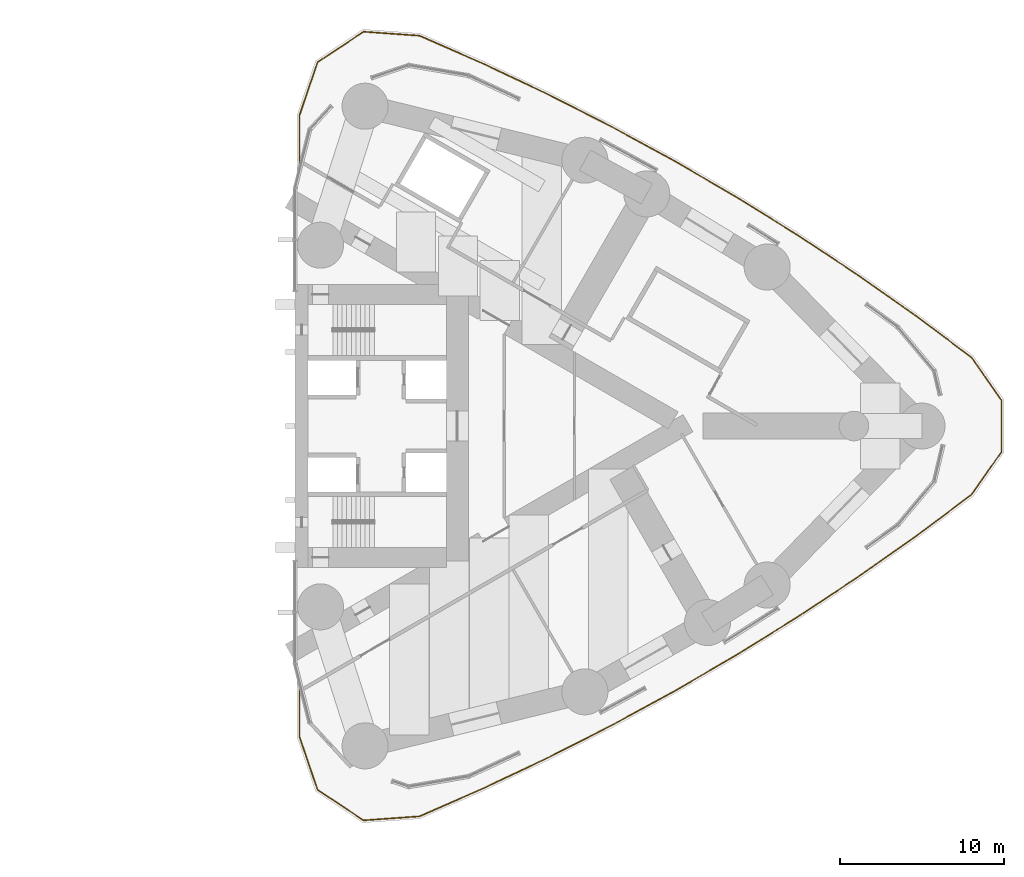
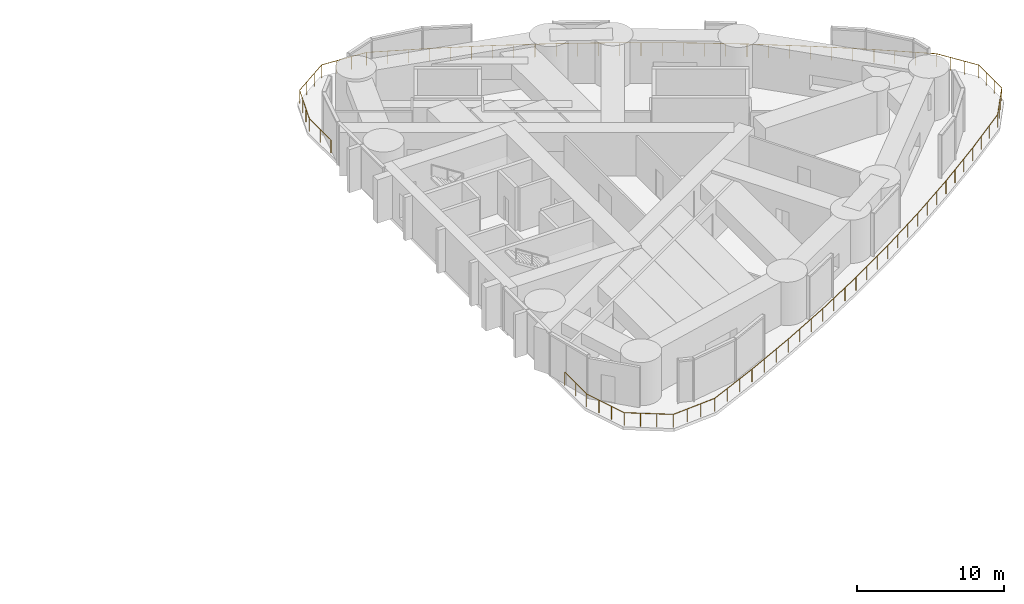
# One storey, part 17 of 17: 1 railing.
"""IFC4 building model written with IfcOpenShell, lengths in metres."""

from ifc_helpers import new_model, si_unit, direction, frame, origin, origin_2d, place, context, subcontext, project, spatial, circle, extrude, material, type_object, element, save


model = new_model("IFC4")

# Units and contexts
model_context = context("Model", 3, precision=1e-05, world=origin(), true_north=direction((0.0, 1.0)))
body_context = subcontext(model_context, "Body", "Model", "MODEL_VIEW")
ifc_project = project(units=[si_unit("LENGTHUNIT", "METRE"), si_unit("AREAUNIT", "SQUARE_METRE"), si_unit("VOLUMEUNIT", "CUBIC_METRE"), si_unit("PLANEANGLEUNIT", "RADIAN"), si_unit("MASSUNIT", "GRAM", prefix="KILO")], contexts=[model_context])

# Site, building, storey
site_placement = place(None, origin())
site = spatial("IfcSite", under=ifc_project, at=site_placement, CompositionType="ELEMENT")
building_placement = place(site_placement, origin())
building = spatial("IfcBuilding", under=site, at=building_placement, Name="Lancet Gate Hotel", CompositionType="ELEMENT")
storey_placement = place(building_placement, frame((0.0, 0.0, 152.699951171875)))
storey = spatial("IfcBuildingStorey", under=building, at=storey_placement, Name="L40", CompositionType="ELEMENT", Elevation=152.699951171875)

# Railing
ifc_material = material(Name="Galvanised steel guard rail", Category="steel")
railing_type = type_object("IfcRailingType", Name="Roof guard rail 1100", PredefinedType="GUARDRAIL", material=ifc_material)
railing_placement = place(storey_placement, frame((27.77001953125, -15.934814453125, 0.0)))
element("IfcRailing", 1, at=railing_placement, inside=storey, type_object=railing_type, Name="T2 L40 maintenance roof guard rail", PredefinedType="GUARDRAIL", context=body_context, shape_type="SweptSolid", body=[
    extrude(circle(Radius=0.02392578125, at=origin_2d()), frame((0.0, 0.0, 1.076171875), z_axis=(0.0, -1.0, 0.0), x_axis=(1.0, 0.0, 0.0)), (0.0, 0.0, 1.0), 2.96337890625),
    extrude(circle(Radius=0.02392578125, at=origin_2d()), frame((0.0, -2.96337890625, 1.076171875), z_axis=(0.322596703158, -0.946536511241, 0.0), x_axis=(0.946536511241, 0.322596703158, 0.0)), (0.0, 0.0, 1.0), 3.41162109375),
    extrude(circle(Radius=0.02392578125, at=origin_2d()), frame((1.1005859375, -6.192626953125, 1.076171875), z_axis=(0.833476621195, -0.552554723011, 0.0), x_axis=(0.552554723011, 0.833476621195, 0.0)), (0.0, 0.0, 1.0), 3.3642578125),
    extrude(circle(Radius=0.02392578125, at=origin_2d()), frame((3.904541015625, -8.051513671875, 1.076171875), z_axis=(0.997448512387, 0.071389531001, 0.0), x_axis=(-0.071389531001, 0.997448512387, 0.0)), (0.0, 0.0, 1.0), 3.40966796875),
    extrude(circle(Radius=0.02392578125, at=origin_2d()), frame((7.305419921875, -7.80810546875, 1.076171875), z_axis=(0.915488378896, 0.402344414782, 0.0), x_axis=(-0.402344414782, 0.915488378896, 0.0)), (0.0, 0.0, 1.0), 4.296630859375),
    extrude(circle(Radius=0.02392578125, at=origin_2d()), frame((11.239013671875, -6.079345703125, 1.076171875), z_axis=(0.903689720211, 0.428187913872, 0.0), x_axis=(-0.428187913872, 0.903689720211, 0.0)), (0.0, 0.0, 1.0), 4.339599609375),
    extrude(circle(Radius=0.02392578125, at=origin_2d()), frame((15.16064453125, -4.22119140625, 1.076171875), z_axis=(0.891151949785, 0.453704972856, 0.0), x_axis=(-0.453704972856, 0.891151949785, 0.0)), (0.0, 0.0, 1.0), 4.33984375),
    extrude(circle(Radius=0.02392578125, at=origin_2d()), frame((19.028076171875, -2.252197265625, 1.076171875), z_axis=(0.877914922278, 0.478816655143, 0.0), x_axis=(-0.478816655143, 0.877914922278, 0.0)), (0.0, 0.0, 1.0), 4.339599609375),
    extrude(circle(Radius=0.02392578125, at=origin_2d()), frame((22.837890625, -0.17431640625, 1.076171875), z_axis=(0.863956366522, 0.503566675571, 0.0), x_axis=(-0.503566675571, 0.863956366522, 0.0)), (0.0, 0.0, 1.0), 4.339599609375),
    extrude(circle(Radius=0.02392578125, at=origin_2d()), frame((26.587158203125, 2.010986328125, 1.076171875), z_axis=(0.849326226832, 0.527868317306, 0.0), x_axis=(-0.527868317306, 0.849326226832, 0.0)), (0.0, 0.0, 1.0), 4.339599609375),
    extrude(circle(Radius=0.02392578125, at=origin_2d()), frame((30.27294921875, 4.3017578125, 1.076171875), z_axis=(0.833983985078, 0.551788648519, 0.0), x_axis=(-0.551788648519, 0.833983985078, 0.0)), (0.0, 0.0, 1.0), 4.339599609375),
    extrude(circle(Radius=0.02392578125, at=origin_2d()), frame((33.89208984375, 6.6962890625, 1.076171875), z_axis=(0.817987797031, 0.575235572534, 0.0), x_axis=(-0.575235572534, 0.817987797031, 0.0)), (0.0, 0.0, 1.0), 4.339599609375),
    extrude(circle(Radius=0.02392578125, at=origin_2d()), frame((37.44189453125, 9.192626953125, 1.076171875), z_axis=(0.801299456377, 0.598263471398, 0.0), x_axis=(-0.598263471398, 0.801299456377, 0.0)), (0.0, 0.0, 1.0), 4.300048828125),
    extrude(circle(Radius=0.02392578125, at=origin_2d()), frame((40.887451171875, 11.76513671875, 1.076171875), z_axis=(0.573049503146, 0.819520754432, 0.0), x_axis=(-0.819520754432, 0.573049503146, 0.0)), (0.0, 0.0, 1.0), 3.17578125),
    extrude(circle(Radius=0.02392578125, at=origin_2d()), frame((42.707275390625, 14.36767578125, 1.076171875), z_axis=(0.0, 1.0, 0.0), x_axis=(-1.0, 0.0, 0.0)), (0.0, 0.0, 1.0), 3.13427734375),
    extrude(circle(Radius=0.02392578125, at=origin_2d()), frame((42.707275390625, 17.501953125, 1.076171875), z_axis=(-0.573049503146, 0.819520754432, 0.0), x_axis=(-0.819520754432, -0.573049503146, 0.0)), (0.0, 0.0, 1.0), 3.17578125),
    extrude(circle(Radius=0.02392578125, at=origin_2d()), frame((40.887451171875, 20.1044921875, 1.076171875), z_axis=(-0.801299456377, 0.598263471398, 0.0), x_axis=(-0.598263471398, -0.801299456377, 0.0)), (0.0, 0.0, 1.0), 4.300048828125),
    extrude(circle(Radius=0.02392578125, at=origin_2d()), frame((37.44189453125, 22.677001953125, 1.076171875), z_axis=(-0.817987797031, 0.575235572534, 0.0), x_axis=(-0.575235572534, -0.817987797031, 0.0)), (0.0, 0.0, 1.0), 4.339599609375),
    extrude(circle(Radius=0.02392578125, at=origin_2d()), frame((33.89208984375, 25.17333984375, 1.076171875), z_axis=(-0.833983985078, 0.551788648519, 0.0), x_axis=(-0.551788648519, -0.833983985078, 0.0)), (0.0, 0.0, 1.0), 4.339599609375),
    extrude(circle(Radius=0.02392578125, at=origin_2d()), frame((30.27294921875, 27.56787109375, 1.076171875), z_axis=(-0.849326226832, 0.527868317306, 0.0), x_axis=(-0.527868317306, -0.849326226832, 0.0)), (0.0, 0.0, 1.0), 4.339599609375),
    extrude(circle(Radius=0.02392578125, at=origin_2d()), frame((26.587158203125, 29.858642578125, 1.076171875), z_axis=(-0.863956366522, 0.503566675571, 0.0), x_axis=(-0.503566675571, -0.863956366522, 0.0)), (0.0, 0.0, 1.0), 4.339599609375),
    extrude(circle(Radius=0.02392578125, at=origin_2d()), frame((22.837890625, 32.0439453125, 1.076171875), z_axis=(-0.877914922278, 0.478816655143, 0.0), x_axis=(-0.478816655143, -0.877914922278, 0.0)), (0.0, 0.0, 1.0), 4.339599609375),
    extrude(circle(Radius=0.02392578125, at=origin_2d()), frame((19.028076171875, 34.121826171875, 1.076171875), z_axis=(-0.891151949785, 0.453704972856, 0.0), x_axis=(-0.453704972856, -0.891151949785, 0.0)), (0.0, 0.0, 1.0), 4.33984375),
    extrude(circle(Radius=0.02392578125, at=origin_2d()), frame((15.16064453125, 36.0908203125, 1.076171875), z_axis=(-0.903689720211, 0.428187913872, 0.0), x_axis=(-0.428187913872, -0.903689720211, 0.0)), (0.0, 0.0, 1.0), 4.339599609375),
    extrude(circle(Radius=0.02392578125, at=origin_2d()), frame((11.239013671875, 37.948974609375, 1.076171875), z_axis=(-0.915488378896, 0.402344414782, 0.0), x_axis=(-0.402344414782, -0.915488378896, 0.0)), (0.0, 0.0, 1.0), 4.296630859375),
    extrude(circle(Radius=0.02392578125, at=origin_2d()), frame((7.305419921875, 39.677734375, 1.076171875), z_axis=(-0.997448512387, 0.071389531001, 0.0), x_axis=(-0.071389531001, -0.997448512387, 0.0)), (0.0, 0.0, 1.0), 3.40966796875),
    extrude(circle(Radius=0.02392578125, at=origin_2d()), frame((3.904541015625, 39.921142578125, 1.076171875), z_axis=(-0.833476621195, -0.552554723011, 0.0), x_axis=(0.552554723011, -0.833476621195, 0.0)), (0.0, 0.0, 1.0), 3.3642578125),
    extrude(circle(Radius=0.02392578125, at=origin_2d()), frame((1.1005859375, 38.062255859375, 1.076171875), z_axis=(-0.322596703158, -0.946536511241, 0.0), x_axis=(0.946536511241, -0.322596703158, 0.0)), (0.0, 0.0, 1.0), 3.41162109375),
    extrude(circle(Radius=0.02392578125, at=origin_2d()), frame((0.0, 34.8330078125, 1.076171875), z_axis=(0.0, -1.0, 0.0), x_axis=(1.0, 0.0, 0.0)), (0.0, 0.0, 1.0), 2.96337890625),
    extrude(circle(Radius=0.02099609375, at=origin_2d()), origin(), (0.0, 0.0, 1.0), 1.052001953125),
    extrude(circle(Radius=0.02099609375, at=origin_2d()), frame((0.0, -1.481689453125, 0.0)), (0.0, 0.0, 1.0), 1.052001953125),
    extrude(circle(Radius=0.02099609375, at=origin_2d()), frame((0.0, -2.96337890625, 0.0)), (0.0, 0.0, 1.0), 1.052001953125),
    extrude(circle(Radius=0.02099609375, at=origin_2d()), frame((0.366943359375, -4.039794921875, 0.0)), (0.0, 0.0, 1.0), 1.052001953125),
    extrude(circle(Radius=0.02099609375, at=origin_2d()), frame((0.733642578125, -5.1162109375, 0.0)), (0.0, 0.0, 1.0), 1.052001953125),
    extrude(circle(Radius=0.02099609375, at=origin_2d()), frame((1.1005859375, -6.192626953125, 0.0)), (0.0, 0.0, 1.0), 1.052001953125),
    extrude(circle(Radius=0.02099609375, at=origin_2d()), frame((2.03515625, -6.812255859375, 0.0)), (0.0, 0.0, 1.0), 1.052001953125),
    extrude(circle(Radius=0.02099609375, at=origin_2d()), frame((2.969970703125, -7.431884765625, 0.0)), (0.0, 0.0, 1.0), 1.052001953125),
    extrude(circle(Radius=0.02099609375, at=origin_2d()), frame((3.904541015625, -8.051513671875, 0.0)), (0.0, 0.0, 1.0), 1.052001953125),
    extrude(circle(Radius=0.02099609375, at=origin_2d()), frame((5.0380859375, -7.970458984375, 0.0)), (0.0, 0.0, 1.0), 1.052001953125),
    extrude(circle(Radius=0.02099609375, at=origin_2d()), frame((6.171875, -7.88916015625, 0.0)), (0.0, 0.0, 1.0), 1.052001953125),
    extrude(circle(Radius=0.02099609375, at=origin_2d()), frame((7.305419921875, -7.80810546875, 0.0)), (0.0, 0.0, 1.0), 1.052001953125),
    extrude(circle(Radius=0.02099609375, at=origin_2d()), frame((8.61669921875, -7.23193359375, 0.0)), (0.0, 0.0, 1.0), 1.052001953125),
    extrude(circle(Radius=0.02099609375, at=origin_2d()), frame((9.927734375, -6.655517578125, 0.0)), (0.0, 0.0, 1.0), 1.052001953125),
    extrude(circle(Radius=0.02099609375, at=origin_2d()), frame((11.239013671875, -6.079345703125, 0.0)), (0.0, 0.0, 1.0), 1.052001953125),
    extrude(circle(Radius=0.02099609375, at=origin_2d()), frame((12.546142578125, -5.4599609375, 0.0)), (0.0, 0.0, 1.0), 1.052001953125),
    extrude(circle(Radius=0.02099609375, at=origin_2d()), frame((13.853515625, -4.840576171875, 0.0)), (0.0, 0.0, 1.0), 1.052001953125),
    extrude(circle(Radius=0.02099609375, at=origin_2d()), frame((15.16064453125, -4.22119140625, 0.0)), (0.0, 0.0, 1.0), 1.052001953125),
    extrude(circle(Radius=0.02099609375, at=origin_2d()), frame((16.44970703125, -3.56494140625, 0.0)), (0.0, 0.0, 1.0), 1.052001953125),
    extrude(circle(Radius=0.02099609375, at=origin_2d()), frame((17.739013671875, -2.908447265625, 0.0)), (0.0, 0.0, 1.0), 1.052001953125),
    extrude(circle(Radius=0.02099609375, at=origin_2d()), frame((19.028076171875, -2.252197265625, 0.0)), (0.0, 0.0, 1.0), 1.052001953125),
    extrude(circle(Radius=0.02099609375, at=origin_2d()), frame((20.298095703125, -1.5595703125, 0.0)), (0.0, 0.0, 1.0), 1.052001953125),
    extrude(circle(Radius=0.02099609375, at=origin_2d()), frame((21.56787109375, -0.866943359375, 0.0)), (0.0, 0.0, 1.0), 1.052001953125),
    extrude(circle(Radius=0.02099609375, at=origin_2d()), frame((22.837890625, -0.17431640625, 0.0)), (0.0, 0.0, 1.0), 1.052001953125),
    extrude(circle(Radius=0.02099609375, at=origin_2d()), frame((24.087646484375, 0.55419921875, 0.0)), (0.0, 0.0, 1.0), 1.052001953125),
    extrude(circle(Radius=0.02099609375, at=origin_2d()), frame((25.33740234375, 1.282470703125, 0.0)), (0.0, 0.0, 1.0), 1.052001953125),
    extrude(circle(Radius=0.02099609375, at=origin_2d()), frame((26.587158203125, 2.010986328125, 0.0)), (0.0, 0.0, 1.0), 1.052001953125),
    extrude(circle(Radius=0.02099609375, at=origin_2d()), frame((27.815673828125, 2.774658203125, 0.0)), (0.0, 0.0, 1.0), 1.052001953125),
    extrude(circle(Radius=0.02099609375, at=origin_2d()), frame((29.04443359375, 3.5380859375, 0.0)), (0.0, 0.0, 1.0), 1.052001953125),
    extrude(circle(Radius=0.02099609375, at=origin_2d()), frame((30.27294921875, 4.3017578125, 0.0)), (0.0, 0.0, 1.0), 1.052001953125),
    extrude(circle(Radius=0.02099609375, at=origin_2d()), frame((31.479248046875, 5.099853515625, 0.0)), (0.0, 0.0, 1.0), 1.052001953125),
    extrude(circle(Radius=0.02099609375, at=origin_2d()), frame((32.685791015625, 5.898193359375, 0.0)), (0.0, 0.0, 1.0), 1.052001953125),
    extrude(circle(Radius=0.02099609375, at=origin_2d()), frame((33.89208984375, 6.6962890625, 0.0)), (0.0, 0.0, 1.0), 1.052001953125),
    extrude(circle(Radius=0.02099609375, at=origin_2d()), frame((35.075439453125, 7.5283203125, 0.0)), (0.0, 0.0, 1.0), 1.052001953125),
    extrude(circle(Radius=0.02099609375, at=origin_2d()), frame((36.258544921875, 8.360595703125, 0.0)), (0.0, 0.0, 1.0), 1.052001953125),
    extrude(circle(Radius=0.02099609375, at=origin_2d()), frame((37.44189453125, 9.192626953125, 0.0)), (0.0, 0.0, 1.0), 1.052001953125),
    extrude(circle(Radius=0.02099609375, at=origin_2d()), frame((38.59033203125, 10.050048828125, 0.0)), (0.0, 0.0, 1.0), 1.052001953125),
    extrude(circle(Radius=0.02099609375, at=origin_2d()), frame((39.739013671875, 10.90771484375, 0.0)), (0.0, 0.0, 1.0), 1.052001953125),
    extrude(circle(Radius=0.02099609375, at=origin_2d()), frame((40.887451171875, 11.76513671875, 0.0)), (0.0, 0.0, 1.0), 1.052001953125),
    extrude(circle(Radius=0.02099609375, at=origin_2d()), frame((41.494140625, 12.632568359375, 0.0)), (0.0, 0.0, 1.0), 1.052001953125),
    extrude(circle(Radius=0.02099609375, at=origin_2d()), frame((42.1005859375, 13.500244140625, 0.0)), (0.0, 0.0, 1.0), 1.052001953125),
    extrude(circle(Radius=0.02099609375, at=origin_2d()), frame((42.707275390625, 14.36767578125, 0.0)), (0.0, 0.0, 1.0), 1.052001953125),
    extrude(circle(Radius=0.02099609375, at=origin_2d()), frame((42.707275390625, 15.412353515625, 0.0)), (0.0, 0.0, 1.0), 1.052001953125),
    extrude(circle(Radius=0.02099609375, at=origin_2d()), frame((42.707275390625, 16.457275390625, 0.0)), (0.0, 0.0, 1.0), 1.052001953125),
    extrude(circle(Radius=0.02099609375, at=origin_2d()), frame((42.707275390625, 17.501953125, 0.0)), (0.0, 0.0, 1.0), 1.052001953125),
    extrude(circle(Radius=0.02099609375, at=origin_2d()), frame((42.1005859375, 18.369384765625, 0.0)), (0.0, 0.0, 1.0), 1.052001953125),
    extrude(circle(Radius=0.02099609375, at=origin_2d()), frame((41.494140625, 19.237060546875, 0.0)), (0.0, 0.0, 1.0), 1.052001953125),
    extrude(circle(Radius=0.02099609375, at=origin_2d()), frame((40.887451171875, 20.1044921875, 0.0)), (0.0, 0.0, 1.0), 1.052001953125),
    extrude(circle(Radius=0.02099609375, at=origin_2d()), frame((39.739013671875, 20.9619140625, 0.0)), (0.0, 0.0, 1.0), 1.052001953125),
    extrude(circle(Radius=0.02099609375, at=origin_2d()), frame((38.59033203125, 21.819580078125, 0.0)), (0.0, 0.0, 1.0), 1.052001953125),
    extrude(circle(Radius=0.02099609375, at=origin_2d()), frame((37.44189453125, 22.677001953125, 0.0)), (0.0, 0.0, 1.0), 1.052001953125),
    extrude(circle(Radius=0.02099609375, at=origin_2d()), frame((36.258544921875, 23.509033203125, 0.0)), (0.0, 0.0, 1.0), 1.052001953125),
    extrude(circle(Radius=0.02099609375, at=origin_2d()), frame((35.075439453125, 24.34130859375, 0.0)), (0.0, 0.0, 1.0), 1.052001953125),
    extrude(circle(Radius=0.02099609375, at=origin_2d()), frame((33.89208984375, 25.17333984375, 0.0)), (0.0, 0.0, 1.0), 1.052001953125),
    extrude(circle(Radius=0.02099609375, at=origin_2d()), frame((32.685791015625, 25.971435546875, 0.0)), (0.0, 0.0, 1.0), 1.052001953125),
    extrude(circle(Radius=0.02099609375, at=origin_2d()), frame((31.479248046875, 26.769775390625, 0.0)), (0.0, 0.0, 1.0), 1.052001953125),
    extrude(circle(Radius=0.02099609375, at=origin_2d()), frame((30.27294921875, 27.56787109375, 0.0)), (0.0, 0.0, 1.0), 1.052001953125),
    extrude(circle(Radius=0.02099609375, at=origin_2d()), frame((29.04443359375, 28.33154296875, 0.0)), (0.0, 0.0, 1.0), 1.052001953125),
    extrude(circle(Radius=0.02099609375, at=origin_2d()), frame((27.815673828125, 29.094970703125, 0.0)), (0.0, 0.0, 1.0), 1.052001953125),
    extrude(circle(Radius=0.02099609375, at=origin_2d()), frame((26.587158203125, 29.858642578125, 0.0)), (0.0, 0.0, 1.0), 1.052001953125),
    extrude(circle(Radius=0.02099609375, at=origin_2d()), frame((25.33740234375, 30.587158203125, 0.0)), (0.0, 0.0, 1.0), 1.052001953125),
    extrude(circle(Radius=0.02099609375, at=origin_2d()), frame((24.087646484375, 31.3154296875, 0.0)), (0.0, 0.0, 1.0), 1.052001953125),
    extrude(circle(Radius=0.02099609375, at=origin_2d()), frame((22.837890625, 32.0439453125, 0.0)), (0.0, 0.0, 1.0), 1.052001953125),
    extrude(circle(Radius=0.02099609375, at=origin_2d()), frame((21.56787109375, 32.736572265625, 0.0)), (0.0, 0.0, 1.0), 1.052001953125),
    extrude(circle(Radius=0.02099609375, at=origin_2d()), frame((20.298095703125, 33.42919921875, 0.0)), (0.0, 0.0, 1.0), 1.052001953125),
    extrude(circle(Radius=0.02099609375, at=origin_2d()), frame((19.028076171875, 34.121826171875, 0.0)), (0.0, 0.0, 1.0), 1.052001953125),
    extrude(circle(Radius=0.02099609375, at=origin_2d()), frame((17.739013671875, 34.778076171875, 0.0)), (0.0, 0.0, 1.0), 1.052001953125),
    extrude(circle(Radius=0.02099609375, at=origin_2d()), frame((16.44970703125, 35.4345703125, 0.0)), (0.0, 0.0, 1.0), 1.052001953125),
    extrude(circle(Radius=0.02099609375, at=origin_2d()), frame((15.16064453125, 36.0908203125, 0.0)), (0.0, 0.0, 1.0), 1.052001953125),
    extrude(circle(Radius=0.02099609375, at=origin_2d()), frame((13.853515625, 36.710205078125, 0.0)), (0.0, 0.0, 1.0), 1.052001953125),
    extrude(circle(Radius=0.02099609375, at=origin_2d()), frame((12.546142578125, 37.32958984375, 0.0)), (0.0, 0.0, 1.0), 1.052001953125),
    extrude(circle(Radius=0.02099609375, at=origin_2d()), frame((11.239013671875, 37.948974609375, 0.0)), (0.0, 0.0, 1.0), 1.052001953125),
    extrude(circle(Radius=0.02099609375, at=origin_2d()), frame((9.927734375, 38.525146484375, 0.0)), (0.0, 0.0, 1.0), 1.052001953125),
    extrude(circle(Radius=0.02099609375, at=origin_2d()), frame((8.61669921875, 39.1015625, 0.0)), (0.0, 0.0, 1.0), 1.052001953125),
    extrude(circle(Radius=0.02099609375, at=origin_2d()), frame((7.305419921875, 39.677734375, 0.0)), (0.0, 0.0, 1.0), 1.052001953125),
    extrude(circle(Radius=0.02099609375, at=origin_2d()), frame((6.171875, 39.7587890625, 0.0)), (0.0, 0.0, 1.0), 1.052001953125),
    extrude(circle(Radius=0.02099609375, at=origin_2d()), frame((5.0380859375, 39.840087890625, 0.0)), (0.0, 0.0, 1.0), 1.052001953125),
    extrude(circle(Radius=0.02099609375, at=origin_2d()), frame((3.904541015625, 39.921142578125, 0.0)), (0.0, 0.0, 1.0), 1.052001953125),
    extrude(circle(Radius=0.02099609375, at=origin_2d()), frame((2.969970703125, 39.301513671875, 0.0)), (0.0, 0.0, 1.0), 1.052001953125),
    extrude(circle(Radius=0.02099609375, at=origin_2d()), frame((2.03515625, 38.681884765625, 0.0)), (0.0, 0.0, 1.0), 1.052001953125),
    extrude(circle(Radius=0.02099609375, at=origin_2d()), frame((1.1005859375, 38.062255859375, 0.0)), (0.0, 0.0, 1.0), 1.052001953125),
    extrude(circle(Radius=0.02099609375, at=origin_2d()), frame((0.733642578125, 36.98583984375, 0.0)), (0.0, 0.0, 1.0), 1.052001953125),
    extrude(circle(Radius=0.02099609375, at=origin_2d()), frame((0.366943359375, 35.909423828125, 0.0)), (0.0, 0.0, 1.0), 1.052001953125),
    extrude(circle(Radius=0.02099609375, at=origin_2d()), frame((0.0, 34.8330078125, 0.0)), (0.0, 0.0, 1.0), 1.052001953125),
    extrude(circle(Radius=0.02099609375, at=origin_2d()), frame((0.0, 33.351318359375, 0.0)), (0.0, 0.0, 1.0), 1.052001953125),
    extrude(circle(Radius=0.02099609375, at=origin_2d()), frame((0.0, 31.86962890625, 0.0)), (0.0, 0.0, 1.0), 1.052001953125),
])

save(model, "model.ifc")
